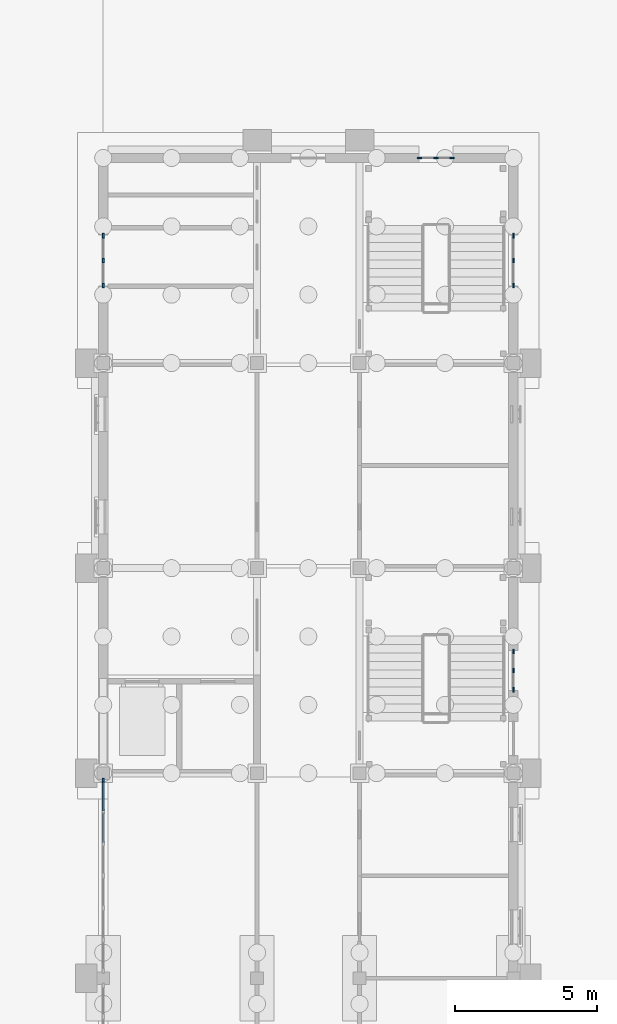
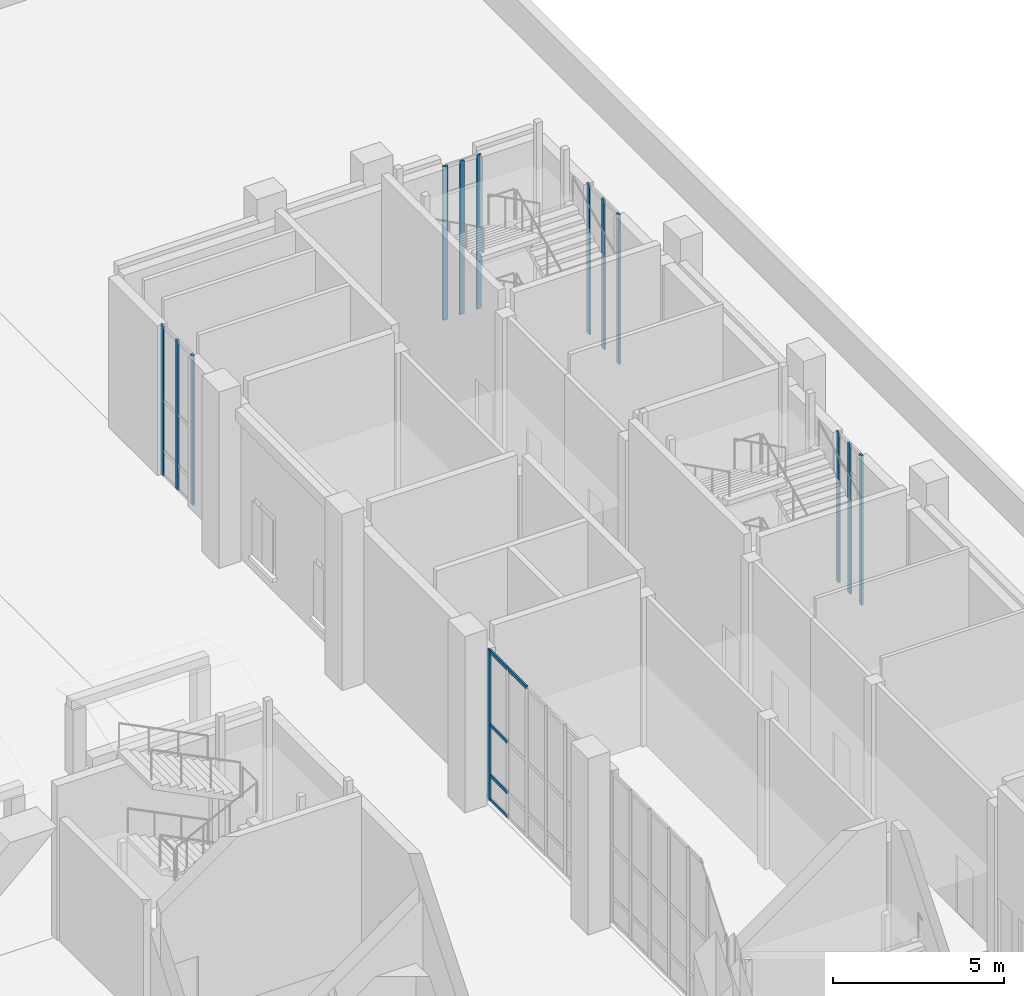
# One storey, part 15 of 84: 18 members, 5 elements without a shape of their own.
"""IFC4 building model written with IfcOpenShell, lengths in metres."""

from ifc_helpers import new_model, si_unit, direction, frame, origin, origin_2d, place, context, subcontext, project, spatial, rectangle, extrude, material, layer, layer_set, material_profile, profile_set, type_object, element, aggregate, save


model = new_model("IFC4")

# Units and contexts
model_context = context("Model", 3, precision=1e-05, world=origin(), true_north=direction((0.0, 1.0)))
body_context = subcontext(model_context, "Body", "Model", "MODEL_VIEW")
ifc_project = project(units=[si_unit("LENGTHUNIT", "METRE"), si_unit("AREAUNIT", "SQUARE_METRE"), si_unit("VOLUMEUNIT", "CUBIC_METRE"), si_unit("PLANEANGLEUNIT", "RADIAN"), si_unit("MASSUNIT", "GRAM", prefix="KILO")], contexts=[model_context])

# Site, building, storey
site_placement = place(None, origin())
site = spatial("IfcSite", under=ifc_project, at=site_placement, CompositionType="ELEMENT")
building_placement = place(site_placement, origin())
building = spatial("IfcBuilding", under=site, at=building_placement, Name="Mazhai Court Health Centre", CompositionType="ELEMENT")
storey_placement = place(building_placement, origin())
storey = spatial("IfcBuildingStorey", under=building, at=storey_placement, Name="L00", CompositionType="ELEMENT", Elevation=0.0)

# Curtain wall, member
ifc_material_1 = material(Name="Teak timber frame, glazed", Category="wood")
ifc_layer_1 = layer(ifc_material_1, 0.10009765625)
ifc_layer_set_1 = layer_set([ifc_layer_1], Name="CURTAIN WALL TIMBER 1200")
curtain_wall_type_1 = type_object("IfcCurtainWallType", Name="CURTAIN WALL TIMBER 1200", PredefinedType="NOTDEFINED", material=ifc_layer_set_1)
curtain_wall_1_placement = place(storey_placement, origin())
curtain_wall_1 = element("IfcCurtainWall", 1, at=curtain_wall_1_placement, inside=storey, type_object=curtain_wall_type_1, Name="CW-V6-L00-A2", PredefinedType="NOTDEFINED")
ifc_material_2 = material(Name="Teak timber", Category="wood")
ifc_material_profile_1 = material_profile(ifc_material_2, rectangle(XDim=0.06005859375, YDim=0.159912109375, at=origin_2d()), Name="CW MULLION 60x160")
ifc_profile_set_1 = profile_set([ifc_material_profile_1], Name="Teak timber")
member_type_1 = type_object("IfcMemberType", Name="CW MULLION 60x160", PredefinedType="MULLION", material=ifc_profile_set_1)
member_1_placement = place(storey_placement, frame((135.800048828125, 27.544921875, 0.0), z_axis=(0.0, 0.0, 1.0), x_axis=(-1.0, 0.0, 0.0)))
member_1 = element("IfcMember", 2, at=member_1_placement, type_object=member_type_1, Name="CW mullion 7", PredefinedType="MULLION", context=body_context, shape_type="SweptSolid", body=[
    extrude(rectangle(XDim=0.06005859375, YDim=0.159912109375, at=origin_2d()), origin(), (0.0, 0.0, 1.0), 5.35009765625),
])

# Curtain wall, members
ifc_material_3 = material(Name="Teak timber frame, glazed", Category="wood")
ifc_layer_2 = layer(ifc_material_3, 0.10009765625)
ifc_layer_set_2 = layer_set([ifc_layer_2], Name="CURTAIN WALL TIMBER 900")
curtain_wall_type_2 = type_object("IfcCurtainWallType", Name="CURTAIN WALL TIMBER 900", PredefinedType="NOTDEFINED", material=ifc_layer_set_2)
curtain_wall_2_placement = place(storey_placement, origin())
curtain_wall_2 = element("IfcCurtainWall", 3, at=curtain_wall_2_placement, inside=storey, type_object=curtain_wall_type_2, Name="CW-V6-L00-A5", PredefinedType="NOTDEFINED")
member_2_placement = place(storey_placement, frame((135.800048828125, 44.929931640625, 0.0), z_axis=(0.0, 0.0, 1.0), x_axis=(-1.0, 0.0, 0.0)))
member_2 = element("IfcMember", 4, at=member_2_placement, type_object=member_type_1, Name="CW mullion 1", PredefinedType="MULLION", context=body_context, shape_type="SweptSolid", body=[
    extrude(rectangle(XDim=0.06005859375, YDim=0.159912109375, at=origin_2d()), origin(), (0.0, 0.0, 1.0), 5.35009765625),
])
member_3_placement = place(storey_placement, frame((135.800048828125, 45.800048828125, 0.0), z_axis=(0.0, 0.0, 1.0), x_axis=(-1.0, 0.0, 0.0)))
member_3 = element("IfcMember", 5, at=member_3_placement, type_object=member_type_1, Name="CW mullion 2", PredefinedType="MULLION", context=body_context, shape_type="SweptSolid", body=[
    extrude(rectangle(XDim=0.06005859375, YDim=0.159912109375, at=origin_2d()), origin(), (0.0, 0.0, 1.0), 5.35009765625),
])
member_4_placement = place(storey_placement, frame((135.800048828125, 46.669921875, 0.0), z_axis=(0.0, 0.0, 1.0), x_axis=(-1.0, 0.0, 0.0)))
member_4 = element("IfcMember", 6, at=member_4_placement, type_object=member_type_1, Name="CW mullion 3", PredefinedType="MULLION", context=body_context, shape_type="SweptSolid", body=[
    extrude(rectangle(XDim=0.06005859375, YDim=0.159912109375, at=origin_2d()), origin(), (0.0, 0.0, 1.0), 5.35009765625),
])
aggregate(curtain_wall_2, [member_2, member_3, member_4])

ifc_material_4 = material(Name="Teak timber frame, glazed", Category="wood")
ifc_layer_3 = layer(ifc_material_4, 0.10009765625)
ifc_layer_set_3 = layer_set([ifc_layer_3], Name="CURTAIN WALL TIMBER 600")
curtain_wall_type_3 = type_object("IfcCurtainWallType", Name="CURTAIN WALL TIMBER 600", PredefinedType="NOTDEFINED", material=ifc_layer_set_3)
curtain_wall_3_placement = place(storey_placement, origin())
curtain_wall_3 = element("IfcCurtainWall", 7, at=curtain_wall_3_placement, inside=storey, type_object=curtain_wall_type_3, Name="CW-V6-L00-B3", PredefinedType="NOTDEFINED")
member_5_placement = place(storey_placement, frame((150.199951171875, 32.070068359375, 0.0), z_axis=(0.0, 0.0, 1.0), x_axis=(1.0, 0.0, 0.0)))
member_5 = element("IfcMember", 8, at=member_5_placement, type_object=member_type_1, Name="CW mullion 1", PredefinedType="MULLION", context=body_context, shape_type="SweptSolid", body=[
    extrude(rectangle(XDim=0.06005859375, YDim=0.159912109375, at=origin_2d()), origin(), (0.0, 0.0, 1.0), 5.35009765625),
])
member_6_placement = place(storey_placement, frame((150.199951171875, 31.39990234375, 0.0), z_axis=(0.0, 0.0, 1.0), x_axis=(1.0, 0.0, 0.0)))
member_6 = element("IfcMember", 9, at=member_6_placement, type_object=member_type_1, Name="CW mullion 2", PredefinedType="MULLION", context=body_context, shape_type="SweptSolid", body=[
    extrude(rectangle(XDim=0.06005859375, YDim=0.159912109375, at=origin_2d()), origin(), (0.0, 0.0, 1.0), 5.35009765625),
])
member_7_placement = place(storey_placement, frame((150.199951171875, 30.72998046875, 0.0), z_axis=(0.0, 0.0, 1.0), x_axis=(1.0, 0.0, 0.0)))
member_7 = element("IfcMember", 10, at=member_7_placement, type_object=member_type_1, Name="CW mullion 3", PredefinedType="MULLION", context=body_context, shape_type="SweptSolid", body=[
    extrude(rectangle(XDim=0.06005859375, YDim=0.159912109375, at=origin_2d()), origin(), (0.0, 0.0, 1.0), 5.35009765625),
])
aggregate(curtain_wall_3, [member_5, member_6, member_7])

curtain_wall_4_placement = place(storey_placement, origin())
curtain_wall_4 = element("IfcCurtainWall", 11, at=curtain_wall_4_placement, inside=storey, type_object=curtain_wall_type_2, Name="CW-V6-L00-B5", PredefinedType="NOTDEFINED")
member_8_placement = place(storey_placement, frame((150.199951171875, 46.669921875, 0.0), z_axis=(0.0, 0.0, 1.0), x_axis=(1.0, 0.0, 0.0)))
member_8 = element("IfcMember", 12, at=member_8_placement, type_object=member_type_1, Name="CW mullion 1", PredefinedType="MULLION", context=body_context, shape_type="SweptSolid", body=[
    extrude(rectangle(XDim=0.06005859375, YDim=0.159912109375, at=origin_2d()), origin(), (0.0, 0.0, 1.0), 5.35009765625),
])
member_9_placement = place(storey_placement, frame((150.199951171875, 45.800048828125, 0.0), z_axis=(0.0, 0.0, 1.0), x_axis=(1.0, 0.0, 0.0)))
member_9 = element("IfcMember", 13, at=member_9_placement, type_object=member_type_1, Name="CW mullion 2", PredefinedType="MULLION", context=body_context, shape_type="SweptSolid", body=[
    extrude(rectangle(XDim=0.06005859375, YDim=0.159912109375, at=origin_2d()), origin(), (0.0, 0.0, 1.0), 5.35009765625),
])
member_10_placement = place(storey_placement, frame((150.199951171875, 44.929931640625, 0.0), z_axis=(0.0, 0.0, 1.0), x_axis=(1.0, 0.0, 0.0)))
member_10 = element("IfcMember", 14, at=member_10_placement, type_object=member_type_1, Name="CW mullion 3", PredefinedType="MULLION", context=body_context, shape_type="SweptSolid", body=[
    extrude(rectangle(XDim=0.06005859375, YDim=0.159912109375, at=origin_2d()), origin(), (0.0, 0.0, 1.0), 5.35009765625),
])
aggregate(curtain_wall_4, [member_8, member_9, member_10])

curtain_wall_5_placement = place(storey_placement, origin())
curtain_wall_5 = element("IfcCurtainWall", 15, at=curtain_wall_5_placement, inside=storey, type_object=curtain_wall_type_3, Name="CW-V6-L00-ESTAIR0", PredefinedType="NOTDEFINED")
member_11_placement = place(storey_placement, frame((146.909912109375, 49.39990234375, 0.0), z_axis=(0.0, 0.0, 1.0), x_axis=(0.0, 1.0, 0.0)))
member_11 = element("IfcMember", 16, at=member_11_placement, type_object=member_type_1, Name="CW mullion 1", PredefinedType="MULLION", context=body_context, shape_type="SweptSolid", body=[
    extrude(rectangle(XDim=0.06005859375, YDim=0.159912109375, at=origin_2d()), origin(), (0.0, 0.0, 1.0), 5.5),
])
member_12_placement = place(storey_placement, frame((147.47998046875, 49.39990234375, 0.0), z_axis=(0.0, 0.0, 1.0), x_axis=(0.0, 1.0, 0.0)))
member_12 = element("IfcMember", 17, at=member_12_placement, type_object=member_type_1, Name="CW mullion 2", PredefinedType="MULLION", context=body_context, shape_type="SweptSolid", body=[
    extrude(rectangle(XDim=0.06005859375, YDim=0.159912109375, at=origin_2d()), origin(), (0.0, 0.0, 1.0), 5.5),
])
member_13_placement = place(storey_placement, frame((148.050048828125, 49.39990234375, 0.0), z_axis=(0.0, 0.0, 1.0), x_axis=(0.0, 1.0, 0.0)))
member_13 = element("IfcMember", 18, at=member_13_placement, type_object=member_type_1, Name="CW mullion 3", PredefinedType="MULLION", context=body_context, shape_type="SweptSolid", body=[
    extrude(rectangle(XDim=0.06005859375, YDim=0.159912109375, at=origin_2d()), origin(), (0.0, 0.0, 1.0), 5.5),
])
aggregate(curtain_wall_5, [member_11, member_12, member_13])

# Member
ifc_material_5 = material(Name="Teak timber", Category="wood")
ifc_material_profile_2 = material_profile(ifc_material_5, rectangle(XDim=0.06005859375, YDim=0.1201171875, at=origin_2d()), Name="CW TRANSOM 60x120")
ifc_profile_set_2 = profile_set([ifc_material_profile_2], Name="Teak timber")
member_type_2 = type_object("IfcMemberType", Name="CW TRANSOM 60x120", PredefinedType="USERDEFINED", material=ifc_profile_set_2)
member_14_placement = place(storey_placement, frame((135.800048828125, 25.35498046875, 5.320068359375), z_axis=(0.0, 1.0, 0.0), x_axis=(-1.0, 0.0, 0.0)))
member_14 = element("IfcMember", 19, at=member_14_placement, type_object=member_type_2, Name="CW transom 5.4", ObjectType="TRANSOM", PredefinedType="USERDEFINED", context=body_context, shape_type="SweptSolid", body=[
    extrude(rectangle(XDim=0.06005859375, YDim=0.1201171875, at=origin_2d()), origin(), (0.0, 0.0, 1.0), 1.06494140625),
])

member_15_placement = place(storey_placement, frame((135.800048828125, 26.47998046875, 0.030029296875), z_axis=(0.0, 1.0, 0.0), x_axis=(-1.0, 0.0, 0.0)))
member_15 = element("IfcMember", 20, at=member_15_placement, type_object=member_type_2, Name="CW transom 6.1", ObjectType="TRANSOM", PredefinedType="USERDEFINED", context=body_context, shape_type="SweptSolid", body=[
    extrude(rectangle(XDim=0.06005859375, YDim=0.1201171875, at=origin_2d()), origin(), (0.0, 0.0, 1.0), 1.034912109375),
])

member_16_placement = place(storey_placement, frame((135.800048828125, 26.47998046875, 0.89990234375), z_axis=(0.0, 1.0, 0.0), x_axis=(-1.0, 0.0, 0.0)))
member_16 = element("IfcMember", 21, at=member_16_placement, type_object=member_type_2, Name="CW transom 6.2", ObjectType="TRANSOM", PredefinedType="USERDEFINED", context=body_context, shape_type="SweptSolid", body=[
    extrude(rectangle(XDim=0.06005859375, YDim=0.1201171875, at=origin_2d()), origin(), (0.0, 0.0, 1.0), 1.034912109375),
])

member_17_placement = place(storey_placement, frame((135.800048828125, 26.47998046875, 2.699951171875), z_axis=(0.0, 1.0, 0.0), x_axis=(-1.0, 0.0, 0.0)))
member_17 = element("IfcMember", 22, at=member_17_placement, type_object=member_type_2, Name="CW transom 6.3", ObjectType="TRANSOM", PredefinedType="USERDEFINED", context=body_context, shape_type="SweptSolid", body=[
    extrude(rectangle(XDim=0.06005859375, YDim=0.1201171875, at=origin_2d()), origin(), (0.0, 0.0, 1.0), 1.034912109375),
])

member_18_placement = place(storey_placement, frame((135.800048828125, 26.47998046875, 5.320068359375), z_axis=(0.0, 1.0, 0.0), x_axis=(-1.0, 0.0, 0.0)))
member_18 = element("IfcMember", 23, at=member_18_placement, type_object=member_type_2, Name="CW transom 6.4", ObjectType="TRANSOM", PredefinedType="USERDEFINED", context=body_context, shape_type="SweptSolid", body=[
    extrude(rectangle(XDim=0.06005859375, YDim=0.1201171875, at=origin_2d()), origin(), (0.0, 0.0, 1.0), 1.034912109375),
])

aggregate(curtain_wall_1, [member_1, member_14, member_15, member_16, member_17, member_18])

save(model, "model.ifc")
